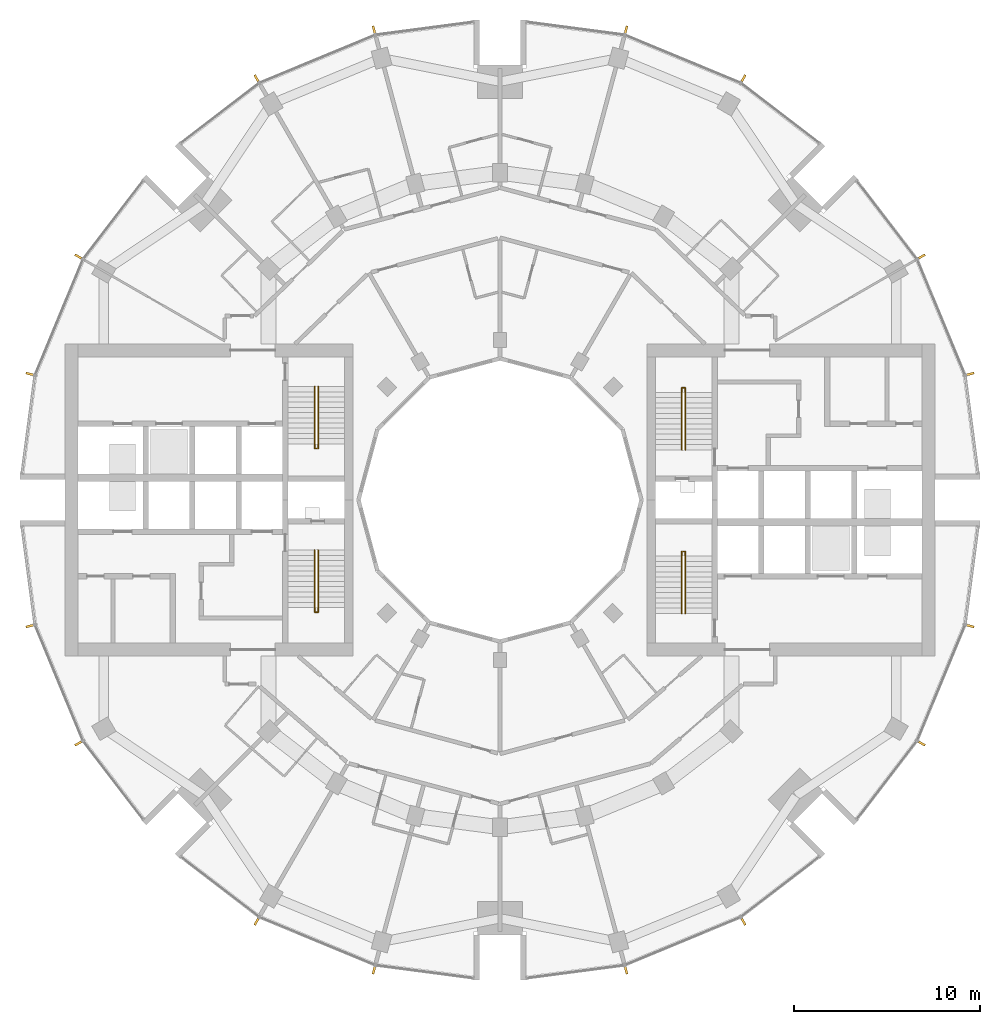
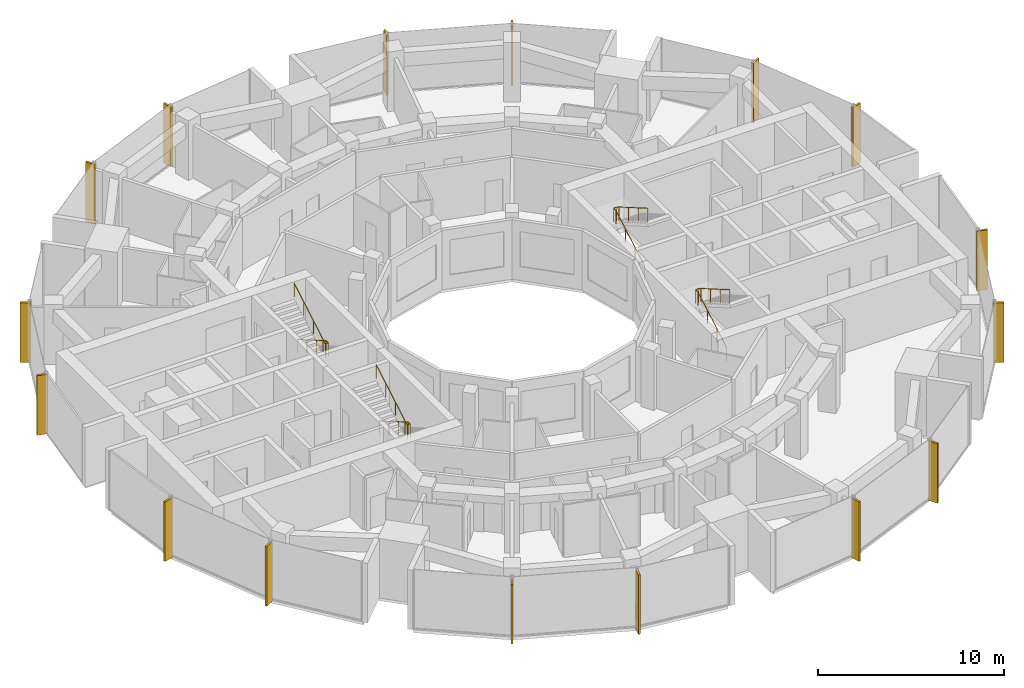
# One storey, part 14 of 15: 16 shading devices, 4 railings.
"""IFC4 building model written with IfcOpenShell, lengths in metres."""

from ifc_helpers import new_model, si_unit, direction, frame, origin, origin_2d, place, context, subcontext, project, spatial, rectangle, circle, extrude, material, material_profile, profile_set, type_object, element, save


model = new_model("IFC4")

# Units and contexts
model_context = context("Model", 3, precision=1e-05, world=origin(), true_north=direction((0.0, 1.0)))
body_context = subcontext(model_context, "Body", "Model", "MODEL_VIEW")
ifc_project = project(units=[si_unit("LENGTHUNIT", "METRE"), si_unit("AREAUNIT", "SQUARE_METRE"), si_unit("VOLUMEUNIT", "CUBIC_METRE"), si_unit("PLANEANGLEUNIT", "RADIAN"), si_unit("MASSUNIT", "GRAM", prefix="KILO")], contexts=[model_context])

# Site, building, storey
site_placement = place(None, origin())
site = spatial("IfcSite", under=ifc_project, at=site_placement, CompositionType="ELEMENT")
building_placement = place(site_placement, origin())
building = spatial("IfcBuilding", under=site, at=building_placement, Name="Torre Brocal", CompositionType="ELEMENT")
storey_placement = place(building_placement, frame((0.0, 0.0, 138.0)))
storey = spatial("IfcBuildingStorey", under=building, at=storey_placement, Name="L32", CompositionType="ELEMENT", Elevation=138.0)

# Shading devices
ifc_material_1 = material(Name="Aluminium, black anodised", Category="aluminium")
ifc_material_profile = material_profile(ifc_material_1, rectangle(XDim=0.1201171875, YDim=0.60009765625, at=origin_2d()), Name="FIN 120X600 3900 HIGH")
ifc_profile_set = profile_set([ifc_material_profile], Name="Aluminium, black anodised")
shading_device_type = type_object("IfcShadingDeviceType", Name="FIN 120X600 3900 HIGH", PredefinedType="USERDEFINED", material=ifc_profile_set)
for number, where, z_axis, x_axis, name in (
    (1, (105.208984375, 81.754638671875, -0.14990234375), (0.0, 0.0, 1.0), (-0.258819045103, 0.965925826289, 0.0), "FIN"),
    (2, (102.601806640625, 88.049072265625, -0.14990234375), (0.0, 0.0, 1.0), (-0.5, 0.866025403784, 0.0), "FIN"),
    (3, (93.049072265625, 97.601806640625, -0.14990234375), (0.0, 0.0, 1.0), (-0.866025403784, 0.5, 0.0), "FIN"),
    (4, (86.754638671875, 100.208984375, -0.14990234375), (0.0, 0.0, 1.0), (-0.965925826289, 0.258819045103, 0.0), "FIN"),
    (5, (73.245361328125, 100.208984375, -0.14990234375), (0.0, 0.0, 1.0), (-0.965925826289, -0.258819045103, 0.0), "FIN"),
    (6, (66.950927734375, 97.601806640625, -0.14990234375), (0.0, 0.0, 1.0), (-0.866025403784, -0.5, 0.0), "FIN"),
    (7, (57.398193359375, 88.049072265625, -0.14990234375), (0.0, 0.0, 1.0), (-0.5, -0.866025403784, 0.0), "FIN"),
    (8, (54.791015625, 81.754638671875, -0.14990234375), (0.0, 0.0, 1.0), (-0.258819045103, -0.965925826289, 0.0), "FIN"),
    (9, (54.791015625, 68.245361328125, -0.14990234375), (0.0, 0.0, 1.0), (0.258819045103, -0.965925826289, 0.0), "FIN"),
    (10, (57.398193359375, 61.950927734375, -0.14990234375), (0.0, 0.0, 1.0), (0.5, -0.866025403784, 0.0), "FIN"),
    (11, (66.950927734375, 52.398193359375, -0.14990234375), (0.0, 0.0, 1.0), (0.866025403784, -0.5, 0.0), "FIN"),
    (12, (73.245361328125, 49.791015625, -0.14990234375), (0.0, 0.0, 1.0), (0.965925826289, -0.258819045103, 0.0), "FIN"),
    (13, (86.754638671875, 49.791015625, -0.14990234375), (0.0, 0.0, 1.0), (0.965925826289, 0.258819045103, 0.0), "FIN"),
    (14, (93.049072265625, 52.398193359375, -0.14990234375), (0.0, 0.0, 1.0), (0.866025403784, 0.5, 0.0), "FIN"),
    (15, (102.601806640625, 61.950927734375, -0.14990234375), (0.0, 0.0, 1.0), (0.5, 0.866025403784, 0.0), "FIN"),
    (16, (105.208984375, 68.245361328125, -0.14990234375), (0.0, 0.0, 1.0), (0.258819045103, 0.965925826289, 0.0), "FIN"),
):
    element("IfcShadingDevice", number, at=place(storey_placement, frame(where, z_axis=z_axis, x_axis=x_axis)), inside=storey, type_object=shading_device_type, Name=name, ObjectType="FIN", PredefinedType="USERDEFINED", context=body_context, shape_type="SweptSolid", body=[
        extrude(rectangle(XDim=0.1201171875, YDim=0.60009765625, at=origin_2d()), origin(), (0.0, 0.0, 1.0), 3.89990234375),
    ])

# Railings
ifc_material_2 = material(Name="Stainless steel AISI 316", Category="steel")
railing_type = type_object("IfcRailingType", Name="STAIR HANDRAIL", PredefinedType="HANDRAIL", material=ifc_material_2)
railing_1_placement = place(storey_placement, frame((89.780029296875, 77.699951171875, 0.16259765625)))
element("IfcRailing", 17, at=railing_1_placement, inside=storey, type_object=railing_type, Name="HANDRAIL ST1", PredefinedType="HANDRAIL", context=body_context, shape_type="SweptSolid", body=[
    extrude(circle(Radius=0.02392578125, at=origin_2d()), frame((0.0, 0.0, 0.8759765625), z_axis=(0.0, 0.864920483161, 0.501908913857), x_axis=(-1.0, 0.0, 0.0)), (0.0, 0.0, 1.0), 3.56103515625),
    extrude(circle(Radius=0.02392578125, at=origin_2d()), frame((0.0, 3.080078125, 2.6630859375), z_axis=(0.0, 1.0, 0.0), x_axis=(-1.0, 0.0, 0.0)), (0.0, 0.0, 1.0), 0.25),
    extrude(circle(Radius=0.02392578125, at=origin_2d()), frame((0.0, 3.330078125, 2.6630859375), z_axis=(1.0, 0.0, 0.0), x_axis=(0.0, 1.0, 0.0)), (0.0, 0.0, 1.0), 0.18994140625),
    extrude(circle(Radius=0.02392578125, at=origin_2d()), frame((0.18994140625, 3.330078125, 2.6630859375), z_axis=(0.0, -0.838293955121, 0.545218529405), x_axis=(1.0, 0.0, 0.0)), (0.0, 0.0, 1.0), 0.29833984375),
    extrude(circle(Radius=0.02392578125, at=origin_2d()), frame((0.18994140625, 3.080078125, 2.82568359375), z_axis=(0.0, -0.864920483161, 0.501908913857), x_axis=(1.0, 0.0, 0.0)), (0.0, 0.0, 1.0), 3.56103515625),
    extrude(circle(Radius=0.02099609375, at=origin_2d()), origin(), (0.0, 0.0, 1.0), 0.851806640625),
    extrude(circle(Radius=0.02099609375, at=origin_2d()), frame((0.0, 1.026611328125, 0.595703125)), (0.0, 0.0, 1.0), 0.851806640625),
    extrude(circle(Radius=0.02099609375, at=origin_2d()), frame((0.0, 2.053466796875, 1.191650390625)), (0.0, 0.0, 1.0), 0.851806640625),
    extrude(circle(Radius=0.02099609375, at=origin_2d()), frame((0.0, 3.080078125, 1.787353515625)), (0.0, 0.0, 1.0), 0.851806640625),
    extrude(circle(Radius=0.02099609375, at=origin_2d()), frame((0.0, 3.330078125, 1.787353515625)), (0.0, 0.0, 1.0), 0.851806640625),
    extrude(circle(Radius=0.02099609375, at=origin_2d()), frame((0.18994140625, 3.330078125, 1.787353515625)), (0.0, 0.0, 1.0), 0.851806640625),
    extrude(circle(Radius=0.02099609375, at=origin_2d()), frame((0.18994140625, 3.080078125, 1.949951171875)), (0.0, 0.0, 1.0), 0.851806640625),
    extrude(circle(Radius=0.02099609375, at=origin_2d()), frame((0.18994140625, 2.053466796875, 2.545654296875)), (0.0, 0.0, 1.0), 0.851806640625),
    extrude(circle(Radius=0.02099609375, at=origin_2d()), frame((0.18994140625, 1.026611328125, 3.1416015625)), (0.0, 0.0, 1.0), 0.851806640625),
    extrude(circle(Radius=0.02099609375, at=origin_2d()), frame((0.18994140625, 0.0, 3.7373046875)), (0.0, 0.0, 1.0), 0.851806640625),
])
railing_2_placement = place(storey_placement, frame((89.780029296875, 68.89990234375, 0.16259765625)))
element("IfcRailing", 18, at=railing_2_placement, inside=storey, type_object=railing_type, Name="HANDRAIL ST2", PredefinedType="HANDRAIL", context=body_context, shape_type="SweptSolid", body=[
    extrude(circle(Radius=0.02392578125, at=origin_2d()), frame((0.0, 0.0, 0.8759765625), z_axis=(0.0, 0.864920483161, 0.501908913857), x_axis=(-1.0, 0.0, 0.0)), (0.0, 0.0, 1.0), 3.56103515625),
    extrude(circle(Radius=0.02392578125, at=origin_2d()), frame((0.0, 3.080078125, 2.6630859375), z_axis=(0.0, 1.0, 0.0), x_axis=(-1.0, 0.0, 0.0)), (0.0, 0.0, 1.0), 0.25),
    extrude(circle(Radius=0.02392578125, at=origin_2d()), frame((0.0, 3.330078125, 2.6630859375), z_axis=(1.0, 0.0, 0.0), x_axis=(0.0, 1.0, 0.0)), (0.0, 0.0, 1.0), 0.18994140625),
    extrude(circle(Radius=0.02392578125, at=origin_2d()), frame((0.18994140625, 3.330078125, 2.6630859375), z_axis=(0.0, -0.838293955121, 0.545218529405), x_axis=(1.0, 0.0, 0.0)), (0.0, 0.0, 1.0), 0.29833984375),
    extrude(circle(Radius=0.02392578125, at=origin_2d()), frame((0.18994140625, 3.080078125, 2.82568359375), z_axis=(0.0, -0.864920483161, 0.501908913857), x_axis=(1.0, 0.0, 0.0)), (0.0, 0.0, 1.0), 3.56103515625),
    extrude(circle(Radius=0.02099609375, at=origin_2d()), origin(), (0.0, 0.0, 1.0), 0.851806640625),
    extrude(circle(Radius=0.02099609375, at=origin_2d()), frame((0.0, 1.026611328125, 0.595703125)), (0.0, 0.0, 1.0), 0.851806640625),
    extrude(circle(Radius=0.02099609375, at=origin_2d()), frame((0.0, 2.053466796875, 1.191650390625)), (0.0, 0.0, 1.0), 0.851806640625),
    extrude(circle(Radius=0.02099609375, at=origin_2d()), frame((0.0, 3.080078125, 1.787353515625)), (0.0, 0.0, 1.0), 0.851806640625),
    extrude(circle(Radius=0.02099609375, at=origin_2d()), frame((0.0, 3.330078125, 1.787353515625)), (0.0, 0.0, 1.0), 0.851806640625),
    extrude(circle(Radius=0.02099609375, at=origin_2d()), frame((0.18994140625, 3.330078125, 1.787353515625)), (0.0, 0.0, 1.0), 0.851806640625),
    extrude(circle(Radius=0.02099609375, at=origin_2d()), frame((0.18994140625, 3.080078125, 1.949951171875)), (0.0, 0.0, 1.0), 0.851806640625),
    extrude(circle(Radius=0.02099609375, at=origin_2d()), frame((0.18994140625, 2.053466796875, 2.545654296875)), (0.0, 0.0, 1.0), 0.851806640625),
    extrude(circle(Radius=0.02099609375, at=origin_2d()), frame((0.18994140625, 1.026611328125, 3.1416015625)), (0.0, 0.0, 1.0), 0.851806640625),
    extrude(circle(Radius=0.02099609375, at=origin_2d()), frame((0.18994140625, 0.0, 3.7373046875)), (0.0, 0.0, 1.0), 0.851806640625),
])
railing_3_placement = place(storey_placement, frame((70.219970703125, 72.300048828125, 0.16259765625)))
element("IfcRailing", 19, at=railing_3_placement, inside=storey, type_object=railing_type, Name="HANDRAIL ST3", PredefinedType="HANDRAIL", context=body_context, shape_type="SweptSolid", body=[
    extrude(circle(Radius=0.02392578125, at=origin_2d()), frame((0.0, 0.0, 0.8759765625), z_axis=(0.0, -0.864920483161, 0.501908913857), x_axis=(1.0, 0.0, 0.0)), (0.0, 0.0, 1.0), 3.56103515625),
    extrude(circle(Radius=0.02392578125, at=origin_2d()), frame((0.0, -3.080078125, 2.6630859375), z_axis=(0.0, -1.0, 0.0), x_axis=(1.0, 0.0, 0.0)), (0.0, 0.0, 1.0), 0.25),
    extrude(circle(Radius=0.02392578125, at=origin_2d()), frame((0.0, -3.330078125, 2.6630859375), z_axis=(-1.0, 0.0, 0.0), x_axis=(0.0, -1.0, 0.0)), (0.0, 0.0, 1.0), 0.18994140625),
    extrude(circle(Radius=0.02392578125, at=origin_2d()), frame((-0.18994140625, -3.330078125, 2.6630859375), z_axis=(0.0, 0.838293955121, 0.545218529405), x_axis=(-1.0, 0.0, 0.0)), (0.0, 0.0, 1.0), 0.29833984375),
    extrude(circle(Radius=0.02392578125, at=origin_2d()), frame((-0.18994140625, -3.080078125, 2.82568359375), z_axis=(0.0, 0.864920483161, 0.501908913857), x_axis=(-1.0, 0.0, 0.0)), (0.0, 0.0, 1.0), 3.56103515625),
    extrude(circle(Radius=0.02099609375, at=origin_2d()), origin(), (0.0, 0.0, 1.0), 0.851806640625),
    extrude(circle(Radius=0.02099609375, at=origin_2d()), frame((0.0, -1.026611328125, 0.595703125)), (0.0, 0.0, 1.0), 0.851806640625),
    extrude(circle(Radius=0.02099609375, at=origin_2d()), frame((0.0, -2.053466796875, 1.191650390625)), (0.0, 0.0, 1.0), 0.851806640625),
    extrude(circle(Radius=0.02099609375, at=origin_2d()), frame((0.0, -3.080078125, 1.787353515625)), (0.0, 0.0, 1.0), 0.851806640625),
    extrude(circle(Radius=0.02099609375, at=origin_2d()), frame((0.0, -3.330078125, 1.787353515625)), (0.0, 0.0, 1.0), 0.851806640625),
    extrude(circle(Radius=0.02099609375, at=origin_2d()), frame((-0.18994140625, -3.330078125, 1.787353515625)), (0.0, 0.0, 1.0), 0.851806640625),
    extrude(circle(Radius=0.02099609375, at=origin_2d()), frame((-0.18994140625, -3.080078125, 1.949951171875)), (0.0, 0.0, 1.0), 0.851806640625),
    extrude(circle(Radius=0.02099609375, at=origin_2d()), frame((-0.18994140625, -2.053466796875, 2.545654296875)), (0.0, 0.0, 1.0), 0.851806640625),
    extrude(circle(Radius=0.02099609375, at=origin_2d()), frame((-0.18994140625, -1.026611328125, 3.1416015625)), (0.0, 0.0, 1.0), 0.851806640625),
    extrude(circle(Radius=0.02099609375, at=origin_2d()), frame((-0.18994140625, 0.0, 3.7373046875)), (0.0, 0.0, 1.0), 0.851806640625),
])
railing_4_placement = place(storey_placement, frame((70.219970703125, 81.10009765625, 0.16259765625)))
element("IfcRailing", 20, at=railing_4_placement, inside=storey, type_object=railing_type, Name="HANDRAIL ST4", PredefinedType="HANDRAIL", context=body_context, shape_type="SweptSolid", body=[
    extrude(circle(Radius=0.02392578125, at=origin_2d()), frame((0.0, 0.0, 0.8759765625), z_axis=(0.0, -0.864920483161, 0.501908913857), x_axis=(1.0, 0.0, 0.0)), (0.0, 0.0, 1.0), 3.56103515625),
    extrude(circle(Radius=0.02392578125, at=origin_2d()), frame((0.0, -3.080078125, 2.6630859375), z_axis=(0.0, -1.0, 0.0), x_axis=(1.0, 0.0, 0.0)), (0.0, 0.0, 1.0), 0.25),
    extrude(circle(Radius=0.02392578125, at=origin_2d()), frame((0.0, -3.330078125, 2.6630859375), z_axis=(-1.0, 0.0, 0.0), x_axis=(0.0, -1.0, 0.0)), (0.0, 0.0, 1.0), 0.18994140625),
    extrude(circle(Radius=0.02392578125, at=origin_2d()), frame((-0.18994140625, -3.330078125, 2.6630859375), z_axis=(0.0, 0.838293955121, 0.545218529405), x_axis=(-1.0, 0.0, 0.0)), (0.0, 0.0, 1.0), 0.29833984375),
    extrude(circle(Radius=0.02392578125, at=origin_2d()), frame((-0.18994140625, -3.080078125, 2.82568359375), z_axis=(0.0, 0.864920483161, 0.501908913857), x_axis=(-1.0, 0.0, 0.0)), (0.0, 0.0, 1.0), 3.56103515625),
    extrude(circle(Radius=0.02099609375, at=origin_2d()), origin(), (0.0, 0.0, 1.0), 0.851806640625),
    extrude(circle(Radius=0.02099609375, at=origin_2d()), frame((0.0, -1.026611328125, 0.595703125)), (0.0, 0.0, 1.0), 0.851806640625),
    extrude(circle(Radius=0.02099609375, at=origin_2d()), frame((0.0, -2.053466796875, 1.191650390625)), (0.0, 0.0, 1.0), 0.851806640625),
    extrude(circle(Radius=0.02099609375, at=origin_2d()), frame((0.0, -3.080078125, 1.787353515625)), (0.0, 0.0, 1.0), 0.851806640625),
    extrude(circle(Radius=0.02099609375, at=origin_2d()), frame((0.0, -3.330078125, 1.787353515625)), (0.0, 0.0, 1.0), 0.851806640625),
    extrude(circle(Radius=0.02099609375, at=origin_2d()), frame((-0.18994140625, -3.330078125, 1.787353515625)), (0.0, 0.0, 1.0), 0.851806640625),
    extrude(circle(Radius=0.02099609375, at=origin_2d()), frame((-0.18994140625, -3.080078125, 1.949951171875)), (0.0, 0.0, 1.0), 0.851806640625),
    extrude(circle(Radius=0.02099609375, at=origin_2d()), frame((-0.18994140625, -2.053466796875, 2.545654296875)), (0.0, 0.0, 1.0), 0.851806640625),
    extrude(circle(Radius=0.02099609375, at=origin_2d()), frame((-0.18994140625, -1.026611328125, 3.1416015625)), (0.0, 0.0, 1.0), 0.851806640625),
    extrude(circle(Radius=0.02099609375, at=origin_2d()), frame((-0.18994140625, 0.0, 3.7373046875)), (0.0, 0.0, 1.0), 0.851806640625),
])

save(model, "model.ifc")
